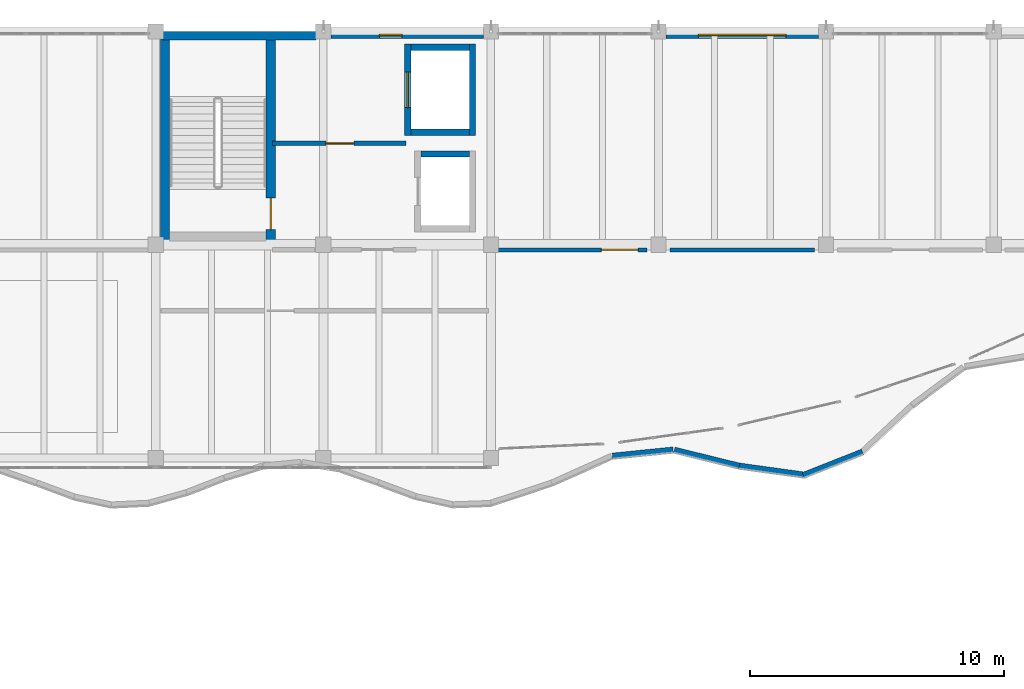
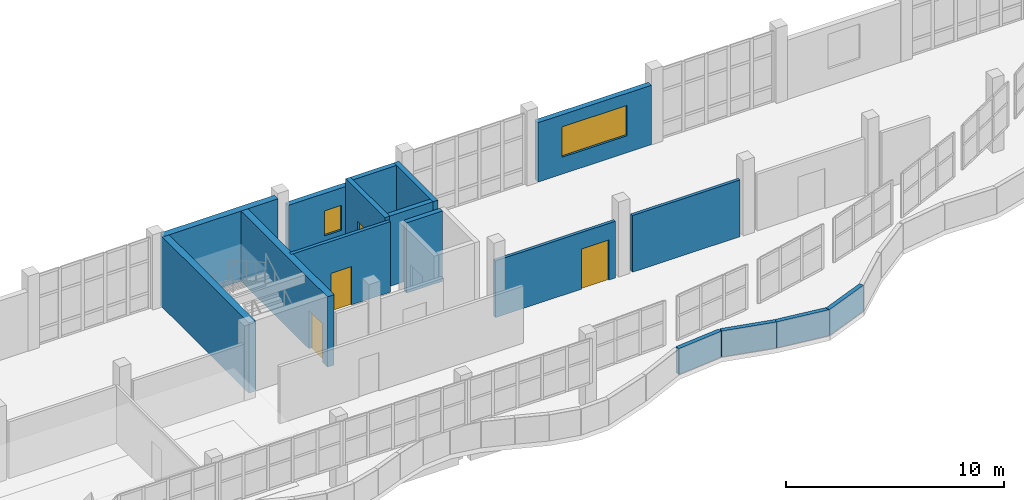
# One storey, part 51 of 74: 17 walls, 4 doors, 2 windows, 6 openings.
"""IFC4 building model written with IfcOpenShell, lengths in metres."""

import ifcopenshell
import ifcopenshell.guid

model = None  # the IFC model being written
_history = None  # IfcOwnerHistory: only IFC2X3 demands one
_inside = {}  # id of a spatial element -> (the spatial element, [elements in it])
_under = {}  # id of a project, library or spatial element -> (it, [spatial elements below it])
_declared = {}  # id of a project -> (the project, [libraries it declares])
_typed = {}  # id of a type object -> (the type object, [elements of that type])
_made_of = {}  # id of a material, layer set ... -> (it, [elements and type objects made of it])


def new_model(schema):
    """Start an empty IFC model of exactly this schema.

    Asked for "IFC4X3", IfcOpenShell would pick the latest addendum, in which some entities
    have other attributes; the version numbers below select the first issue.
    IFC2X3 requires an IfcOwnerHistory on every rooted entity: one is made here for all.
    """
    global model, _history
    if schema == "IFC4X3":
        model = ifcopenshell.file(schema_version=(4, 3, 0, 0))
    else:
        model = ifcopenshell.file(schema=schema)
    _inside.clear()
    _under.clear()
    _declared.clear()
    _typed.clear()
    _made_of.clear()
    _history = None
    if model.schema == "IFC2X3":
        org = make("IfcOrganization", Name="unknown")
        user = make(
            "IfcPersonAndOrganization",
            ThePerson=make("IfcPerson", FamilyName="unknown"),
            TheOrganization=org,
        )
        app = make(
            "IfcApplication",
            ApplicationDeveloper=org,
            Version="unknown",
            ApplicationFullName="unknown",
            ApplicationIdentifier="unknown",
        )
        _history = make(
            "IfcOwnerHistory",
            OwningUser=user,
            OwningApplication=app,
            ChangeAction="ADDED",
            CreationDate=0,
        )
    return model


def make(cls, **values):
    """One entity of the class cls with the attributes given. An attribute that is None is left unset."""
    return model.create_entity(
        cls, **{name: value for name, value in values.items() if value is not None}
    )


def rooted(cls, **values):
    """An entity with a GlobalId (a new one), such as an element, a storey or a relation."""
    return make(cls, GlobalId=ifcopenshell.guid.new(), OwnerHistory=_history, **values)


def si_unit(unit_type, name, prefix=None):
    """IfcSIUnit, for example si_unit("LENGTHUNIT", "METRE", prefix="MILLI")."""
    return make("IfcSIUnit", UnitType=unit_type, Prefix=prefix, Name=name)


def assignment(units):
    """IfcUnitAssignment: the units of a project."""
    return None if units is None else make("IfcUnitAssignment", Units=units)


def point(xyz):
    """IfcCartesianPoint."""
    return None if xyz is None else make("IfcCartesianPoint", Coordinates=xyz)


def direction(xyz):
    """IfcDirection."""
    return None if xyz is None else make("IfcDirection", DirectionRatios=xyz)


def frame(location, z_axis=None, x_axis=None):
    """IfcAxis2Placement3D, a coordinate frame: its origin and axes. An axis left out is left unset."""
    return make(
        "IfcAxis2Placement3D",
        Location=point(location),
        Axis=direction(z_axis),
        RefDirection=direction(x_axis),
    )


def frame_2d(location, x_axis=None):
    """IfcAxis2Placement2D, a coordinate frame in the plane: its origin and x axis."""
    return make(
        "IfcAxis2Placement2D", Location=point(location), RefDirection=direction(x_axis)
    )


def origin():
    """The frame at (0, 0, 0) with its axes left unset."""
    return frame((0.0, 0.0, 0.0))


def place(relative_to, where):
    """IfcLocalPlacement: puts the frame where relative to a parent placement (None: the world)."""
    return make(
        "IfcLocalPlacement", PlacementRelTo=relative_to, RelativePlacement=where
    )


def context(
    kind, dimensions, precision=None, world=None, true_north=None, identifier=None
):
    """IfcGeometricRepresentationContext, for example the 3D "Model" context."""
    return make(
        "IfcGeometricRepresentationContext",
        ContextIdentifier=identifier,
        ContextType=kind,
        CoordinateSpaceDimension=dimensions,
        Precision=precision,
        WorldCoordinateSystem=world,
        TrueNorth=true_north,
    )


def subcontext(parent, identifier, kind, view, scale=None):
    """IfcGeometricRepresentationSubContext, for example "Body" below "Model"."""
    return make(
        "IfcGeometricRepresentationSubContext",
        ContextIdentifier=identifier,
        ContextType=kind,
        ParentContext=parent,
        TargetScale=scale,
        TargetView=view,
    )


def project(units=None, contexts=None):
    """IfcProject with its units and contexts."""
    return rooted(
        "IfcProject",
        Name="project",
        RepresentationContexts=contexts,
        UnitsInContext=assignment(units),
    )


def spatial(cls, under=None, at=None, **own):
    """A site, building, storey or space (cls), placed at a placement, below another one or the project."""
    s = rooted(cls, ObjectPlacement=at, **own)
    if under is not None:
        _under.setdefault(under.id(), (under, []))[1].append(s)
    return s


def profile(cls, at=None, kind="AREA", **sizes):
    """A parametric profile (cls). Its sizes go by their IFC names, for example OverallWidth=200.0."""
    return make(cls, ProfileType=kind, Position=at, **sizes)


def rectangle(**sizes):
    """IfcRectangleProfileDef."""
    return profile("IfcRectangleProfileDef", **sizes)


def extrude(swept, where, along, depth):
    """IfcExtrudedAreaSolid: the profile swept, set in the frame where, extruded along a direction by depth."""
    return make(
        "IfcExtrudedAreaSolid",
        SweptArea=swept,
        Position=where,
        ExtrudedDirection=direction(along),
        Depth=depth,
    )


def shape(context_of_items, identifier, shape_type, items):
    """IfcShapeRepresentation: the items that make up one representation, for example the "Body"."""
    return make(
        "IfcShapeRepresentation",
        ContextOfItems=context_of_items,
        RepresentationIdentifier=identifier,
        RepresentationType=shape_type,
        Items=items,
    )


def material(Name=None, Category=None):
    """IfcMaterial."""
    return make("IfcMaterial", Name=Name, Category=Category)


def layer(
    of_material, thickness, ventilated=None, Name=None, Category=None, Priority=None
):
    """IfcMaterialLayer: one layer of a wall or slab, of a material (None: an air gap)."""
    return make(
        "IfcMaterialLayer",
        Material=of_material,
        LayerThickness=thickness,
        IsVentilated=ventilated,
        Name=Name,
        Category=Category,
        Priority=Priority,
    )


def layer_set(layers, Name=None):
    """IfcMaterialLayerSet."""
    return make("IfcMaterialLayerSet", MaterialLayers=layers, LayerSetName=Name)


def made_of(thing, what):
    """Note that an element or type object is made of a material, layer set ...; save() writes the relation."""
    if what is not None:
        _made_of.setdefault(what.id(), (what, []))[1].append(thing)
    return thing


def type_object(cls, material=None, **own):
    """A type object (cls), such as IfcWallType, which elements share."""
    return made_of(rooted(cls, **own), material)


def element(
    cls,
    number,
    at=None,
    inside=None,
    cuts=None,
    type_object=None,
    material=None,
    context=None,
    identifier="Body",
    shape_type=None,
    held_by="IfcProductDefinitionShape",
    body=None,
    shapes=None,
    **own,
):
    """One element of the class cls, such as IfcWall. Its Tag is "e" and its number.

    at: its placement. inside: the storey or other place that contains it. cuts: it is an
    opening in that element (IfcRelVoidsElement). A single representation is given by context,
    identifier, shape_type and body (its items); several are given by shapes. held_by: the class
    of the entity that holds the representations. save() writes the other relations.
    """
    e = rooted(cls, Tag="e%d" % number, ObjectPlacement=at, **own)
    if body is not None:
        shapes = [shape(context, identifier, shape_type, body)]
    if shapes is not None:
        e.Representation = make(held_by, Representations=shapes)
    if inside is not None:
        _inside.setdefault(inside.id(), (inside, []))[1].append(e)
    if cuts is not None:
        rooted(
            "IfcRelVoidsElement", RelatingBuildingElement=cuts, RelatedOpeningElement=e
        )
    if type_object is not None:
        _typed.setdefault(type_object.id(), (type_object, []))[1].append(e)
    return made_of(e, material)


def fill(opening, filler):
    """IfcRelFillsElement: the door or window that sits in an opening."""
    return rooted(
        "IfcRelFillsElement",
        RelatingOpeningElement=opening,
        RelatedBuildingElement=filler,
    )


def aggregate(whole, parts):
    """IfcRelAggregates: a whole, such as a stair, and the parts it consists of."""
    return rooted("IfcRelAggregates", RelatingObject=whole, RelatedObjects=parts)


def save(model, path):
    """Write the relations noted so far, then the file.

    IfcRelAggregates (storeys below a building ...), IfcRelContainedInSpatialStructure (elements
    in a storey), IfcRelDefinesByType, IfcRelAssociatesMaterial and IfcRelDeclares: one each for
    every whole, place, type object, material and project.
    """
    for whole, parts in _under.values():
        aggregate(whole, parts)
    for where, things in _inside.values():
        rooted(
            "IfcRelContainedInSpatialStructure",
            RelatedElements=things,
            RelatingStructure=where,
        )
    for kind, things in _typed.values():
        rooted("IfcRelDefinesByType", RelatedObjects=things, RelatingType=kind)
    for what, things in _made_of.values():
        rooted("IfcRelAssociatesMaterial", RelatedObjects=things, RelatingMaterial=what)
    for by, libraries in _declared.values():
        rooted("IfcRelDeclares", RelatingContext=by, RelatedDefinitions=libraries)
    model.write(path)


model = new_model("IFC4")

# Units and contexts
model_context = context("Model", 3, precision=1e-05, world=origin(), true_north=direction((0.0, 1.0)))
body_context = subcontext(model_context, "Body", "Model", "MODEL_VIEW")
ifc_project = project(units=[si_unit("LENGTHUNIT", "METRE"), si_unit("AREAUNIT", "SQUARE_METRE"), si_unit("VOLUMEUNIT", "CUBIC_METRE"), si_unit("PLANEANGLEUNIT", "RADIAN"), si_unit("MASSUNIT", "GRAM", prefix="KILO")], contexts=[model_context])

# Site, building, storey
site_placement = place(None, origin())
site = spatial("IfcSite", under=ifc_project, at=site_placement, CompositionType="ELEMENT")
building_placement = place(site_placement, origin())
building = spatial("IfcBuilding", under=site, at=building_placement, Name="Qaldarim Faculty of Natural and Applied Sciences", CompositionType="ELEMENT")
storey_placement = place(building_placement, frame((0.0, 0.0, 14.39990234375)))
storey = spatial("IfcBuildingStorey", under=building, at=storey_placement, Name="L03", CompositionType="ELEMENT", Elevation=14.39990234375)

# Wall
ifc_material_1 = material(Name="Concrete C50/60", Category="concrete")
ifc_layer_1 = layer(ifc_material_1, 0.360107421875)
ifc_layer_set_1 = layer_set([ifc_layer_1], Name="Concrete C50/60")
wall_type_1 = type_object("IfcWallType", Name="CoreShearWall-360", PredefinedType="SHEAR", material=ifc_layer_set_1)
wall_1_placement = place(storey_placement, frame((99.3701171875, 109.340087890625, 0.0), z_axis=(0.0, 0.0, 1.0), x_axis=(0.0, 1.0, 0.0)))
element("IfcWall", 1, at=wall_1_placement, inside=storey, type_object=wall_type_1, Name="Core stair ST-B1 west shear wall L03", PredefinedType="SHEAR", context=body_context, shape_type="SweptSolid", body=[
    extrude(rectangle(XDim=8.08984375, YDim=0.360107421875, at=frame_2d((4.044921875, 0.0))), origin(), (0.0, 0.0, 1.0), 3.940185546875),
])

# Wall, opening, door
wall_2_placement = place(storey_placement, frame((103.530029296875, 109.340087890625, 0.0), z_axis=(0.0, 0.0, 1.0), x_axis=(0.0, 1.0, 0.0)))
wall_2 = element("IfcWall", 2, at=wall_2_placement, inside=storey, type_object=wall_type_1, Name="Core stair ST-B1 east shear wall L03", PredefinedType="SHEAR", context=body_context, shape_type="SweptSolid", body=[
    extrude(rectangle(XDim=8.08984375, YDim=0.360107421875, at=frame_2d((4.044921875, 0.0))), origin(), (0.0, 0.0, 1.0), 3.940185546875),
])
opening_1_placement = place(wall_2_placement, frame((0.449951171875, 0.0, 0.0)))
opening_1 = element("IfcOpeningElement", 3, at=opening_1_placement, cuts=wall_2, Name="Opening ID04", PredefinedType="OPENING", context=body_context, shape_type="SweptSolid", body=[
    extrude(rectangle(XDim=1.25, YDim=2.14990234375, at=frame_2d((0.625, 1.074951171875))), frame((0.0, 0.18994140625, 0.0), z_axis=(0.0, -1.0, 0.0), x_axis=(1.0, 0.0, 0.0)), (0.0, 0.0, 1.0), 0.380126953125),
])
ifc_material_2 = material(Name="Architectural stainless steel 316", Category="steel")
door_type_1 = type_object("IfcDoorType", Name="StairEnclosureFireDoor-1250x2150", OperationType="NOTDEFINED", PredefinedType="DOOR", material=ifc_material_2)
door_1_placement = place(opening_1_placement, origin())
door_1 = element("IfcDoor", 4, at=door_1_placement, inside=storey, type_object=door_type_1, Name="Protected stair ST-B1 fire door D-L03-530", OperationType="SINGLE_SWING_LEFT", OverallHeight=2.14990234375, OverallWidth=1.25, PredefinedType="DOOR", context=body_context, shape_type="SweptSolid", body=[
    extrude(rectangle(XDim=1.25, YDim=2.14990234375, at=frame_2d((0.625, 1.074951171875))), frame((0.0, 0.02490234375, 0.0), z_axis=(0.0, -1.0, 0.0), x_axis=(1.0, 0.0, 0.0)), (0.0, 0.0, 1.0), 0.050048828125),
])
fill(opening_1, door_1)

# Wall, opening, window
ifc_material_3 = material(Name="Precast concrete C40/50", Category="concrete")
ifc_layer_2 = layer(ifc_material_3, 0.280029296875)
ifc_layer_set_2 = layer_set([ifc_layer_2], Name="Precast concrete C40/50")
wall_type_2 = type_object("IfcWallType", Name="ExteriorSpandrelWall-280", PredefinedType="SOLIDWALL", material=ifc_layer_set_2)
wall_3_placement = place(storey_placement, frame((111.905029296875, 117.4599609375, 0.0), z_axis=(0.0, 0.0, 1.0), x_axis=(-1.0, 0.0, 0.0)))
wall_3 = element("IfcWall", 5, at=wall_3_placement, inside=storey, type_object=wall_type_2, Name="Exterior wall EW02 L03 N X17Y14", PredefinedType="SOLIDWALL", context=body_context, shape_type="SweptSolid", body=[
    extrude(rectangle(XDim=6.010009765625, YDim=0.280029296875, at=frame_2d((3.0048828125, 0.0))), origin(), (0.0, 0.0, 1.0), 3.3251953125),
])
opening_2_placement = place(wall_3_placement, frame((3.199951171875, 0.0, 0.949951171875)))
opening_2 = element("IfcOpeningElement", 6, at=opening_2_placement, cuts=wall_3, Name="Opening WN05", PredefinedType="OPENING", context=body_context, shape_type="SweptSolid", body=[
    extrude(rectangle(XDim=0.89990234375, YDim=1.39990234375, at=frame_2d((0.449951171875, 0.699951171875))), frame((0.0, 0.14990234375, 0.0), z_axis=(0.0, -1.0, 0.0), x_axis=(1.0, 0.0, 0.0)), (0.0, 0.0, 1.0), 0.300048828125),
])
ifc_material_4 = material(Name="Insulated low-e double glazing", Category="glass")
window_type_1 = type_object("IfcWindowType", Name="Window-900x1400", PartitioningType="SINGLE_PANEL", PredefinedType="WINDOW", material=ifc_material_4)
window_1_placement = place(opening_2_placement, origin())
window_1 = element("IfcWindow", 7, at=window_1_placement, inside=storey, type_object=window_type_1, Name="Facade window WN14 L03 N X17Y14", OverallHeight=1.39990234375, OverallWidth=0.89990234375, PartitioningType="SINGLE_PANEL", PredefinedType="WINDOW", context=body_context, shape_type="SweptSolid", body=[
    extrude(rectangle(XDim=0.89990234375, YDim=1.39990234375, at=frame_2d((0.449951171875, 0.699951171875))), frame((0.0, 0.030029296875, 0.0), z_axis=(0.0, -1.0, 0.0), x_axis=(1.0, 0.0, 0.0)), (0.0, 0.0, 1.0), 0.06005859375),
])
fill(opening_2, window_1)

wall_4_placement = place(storey_placement, frame((125.10498046875, 117.4599609375, 0.0), z_axis=(0.0, 0.0, 1.0), x_axis=(-1.0, 0.0, 0.0)))
wall_4 = element("IfcWall", 8, at=wall_4_placement, inside=storey, type_object=wall_type_2, Name="Exterior wall EW02 L03 N X19Y14", PredefinedType="SOLIDWALL", context=body_context, shape_type="SweptSolid", body=[
    extrude(rectangle(XDim=6.010009765625, YDim=0.280029296875, at=frame_2d((3.0048828125, 0.0))), origin(), (0.0, 0.0, 1.0), 3.3251953125),
])
opening_3_placement = place(wall_4_placement, frame((1.280029296875, 0.0, 0.949951171875)))
opening_3 = element("IfcOpeningElement", 9, at=opening_3_placement, cuts=wall_4, Name="Opening WN16", PredefinedType="OPENING", context=body_context, shape_type="SweptSolid", body=[
    extrude(rectangle(XDim=3.449951171875, YDim=1.699951171875, at=frame_2d((1.72509765625, 0.85009765625))), frame((0.0, 0.14990234375, 0.0), z_axis=(0.0, -1.0, 0.0), x_axis=(1.0, 0.0, 0.0)), (0.0, 0.0, 1.0), 0.300048828125),
])
window_type_2 = type_object("IfcWindowType", Name="LabWindow-3450x1700", PartitioningType="TRIPLE_PANEL_VERTICAL", PredefinedType="WINDOW", material=ifc_material_4)
window_2_placement = place(opening_3_placement, origin())
window_2 = element("IfcWindow", 10, at=window_2_placement, inside=storey, type_object=window_type_2, Name="Facade window WN16 L03 N X19Y14", OverallHeight=1.699951171875, OverallWidth=3.449951171875, PartitioningType="SINGLE_PANEL", PredefinedType="WINDOW", context=body_context, shape_type="SweptSolid", body=[
    extrude(rectangle(XDim=3.449951171875, YDim=1.699951171875, at=frame_2d((1.72509765625, 0.85009765625))), frame((0.0, 0.030029296875, 0.0), z_axis=(0.0, -1.0, 0.0), x_axis=(1.0, 0.0, 0.0)), (0.0, 0.0, 1.0), 0.06005859375),
])
fill(opening_3, window_2)

# Wall
ifc_layer_3 = layer(ifc_material_1, 0.340087890625)
ifc_layer_set_3 = layer_set([ifc_layer_3], Name="Concrete C50/60")
wall_type_3 = type_object("IfcWallType", Name="ExteriorStairShearWall-340", PredefinedType="SHEAR", material=ifc_layer_set_3)
wall_5_placement = place(storey_placement, frame((105.304931640625, 117.429931640625, 0.0), z_axis=(0.0, 0.0, 1.0), x_axis=(-1.0, 0.0, 0.0)))
element("IfcWall", 11, at=wall_5_placement, inside=storey, type_object=wall_type_3, Name="Exterior wall EW05 L03 N X16Y14", PredefinedType="SHEAR", context=body_context, shape_type="SweptSolid", body=[
    extrude(rectangle(XDim=6.010009765625, YDim=0.340087890625, at=frame_2d((3.0048828125, 0.0))), origin(), (0.0, 0.0, 1.0), 3.940185546875),
])

# Wall, opening, door
ifc_material_5 = material(Name="Concrete C40/50", Category="concrete")
ifc_layer_4 = layer(ifc_material_5, 0.159912109375)
ifc_layer_set_4 = layer_set([ifc_layer_4], Name="Concrete C40/50")
wall_type_4 = type_object("IfcWallType", Name="FireCorridorWall-160", PredefinedType="PARTITIONING", material=ifc_layer_set_4)
wall_6_placement = place(storey_placement, frame((112.0, 109.0, 0.0), z_axis=(0.0, 0.0, 1.0), x_axis=(1.0, 0.0, 0.0)))
wall_6 = element("IfcWall", 12, at=wall_6_placement, inside=storey, type_object=wall_type_4, Name="Interior partition PRT-L03-V4-CORSE-S1", PredefinedType="PARTITIONING", context=body_context, shape_type="SweptSolid", body=[
    extrude(rectangle(XDim=6.35009765625, YDim=0.159912109375, at=frame_2d((3.175048828125, 0.0))), origin(), (0.0, 0.0, 1.0), 3.175048828125),
])
opening_4_placement = place(wall_6_placement, frame((4.550048828125, 0.0, 0.0)))
opening_4 = element("IfcOpeningElement", 13, at=opening_4_placement, cuts=wall_6, Name="Opening ID11", PredefinedType="OPENING", context=body_context, shape_type="SweptSolid", body=[
    extrude(rectangle(XDim=1.449951171875, YDim=2.25, at=frame_2d((0.72509765625, 1.125))), frame((0.0, 0.08984375, 0.0), z_axis=(0.0, -1.0, 0.0), x_axis=(1.0, 0.0, 0.0)), (0.0, 0.0, 1.0), 0.179931640625),
])
door_type_2 = type_object("IfcDoorType", Name="InstrumentSuiteDoor-1450x2250", OperationType="NOTDEFINED", PredefinedType="DOOR", material=ifc_material_2)
door_2_placement = place(opening_4_placement, origin())
door_2 = element("IfcDoor", 14, at=door_2_placement, inside=storey, type_object=door_type_2, Name="Interior door D-L03-233", OperationType="SINGLE_SWING_LEFT", OverallHeight=2.25, OverallWidth=1.449951171875, PredefinedType="DOOR", context=body_context, shape_type="SweptSolid", body=[
    extrude(rectangle(XDim=1.449951171875, YDim=2.25, at=frame_2d((0.72509765625, 1.125))), frame((0.0, 0.02490234375, 0.0), z_axis=(0.0, -1.0, 0.0), x_axis=(1.0, 0.0, 0.0)), (0.0, 0.0, 1.0), 0.050048828125),
])
fill(opening_4, door_2)

# Wall
wall_7_placement = place(storey_placement, frame((119.25, 109.0, 0.0), z_axis=(0.0, 0.0, 1.0), x_axis=(1.0, 0.0, 0.0)))
element("IfcWall", 15, at=wall_7_placement, inside=storey, type_object=wall_type_4, Name="Interior partition PRT-L03-V4-CORSE-S2", PredefinedType="PARTITIONING", context=body_context, shape_type="SweptSolid", body=[
    extrude(rectangle(XDim=5.699951171875, YDim=0.159912109375, at=frame_2d((2.85009765625, 0.0))), origin(), (0.0, 0.0, 1.0), 3.175048828125),
])

# Wall, opening, door
ifc_layer_5 = layer(ifc_material_5, 0.179931640625)
ifc_layer_set_5 = layer_set([ifc_layer_5], Name="Concrete C40/50")
wall_type_5 = type_object("IfcWallType", Name="LabFireCompartmentWall-180", PredefinedType="SOLIDWALL", material=ifc_layer_set_5)
wall_8_placement = place(storey_placement, frame((103.60009765625, 113.18994140625, 0.0), z_axis=(0.0, 0.0, 1.0), x_axis=(1.0, 0.0, 0.0)))
wall_8 = element("IfcWall", 16, at=wall_8_placement, inside=storey, type_object=wall_type_5, Name="Fire-fighting lobby north wall Core B L03", PredefinedType="SOLIDWALL", context=body_context, shape_type="SweptSolid", body=[
    extrude(rectangle(XDim=5.25, YDim=0.179931640625, at=frame_2d((2.625, 0.0))), origin(), (0.0, 0.0, 1.0), 3.940185546875),
])
opening_5_placement = place(wall_8_placement, frame((2.10009765625, 0.0, 0.0)))
opening_5 = element("IfcOpeningElement", 17, at=opening_5_placement, cuts=wall_8, Name="Opening ID03", PredefinedType="OPENING", context=body_context, shape_type="SweptSolid", body=[
    extrude(rectangle(XDim=1.10009765625, YDim=2.14990234375, at=frame_2d((0.550048828125, 1.074951171875))), frame((0.0, 0.099853515625, 0.0), z_axis=(0.0, -1.0, 0.0), x_axis=(1.0, 0.0, 0.0)), (0.0, 0.0, 1.0), 0.199951171875),
])
ifc_material_6 = material(Name="Oak hardwood", Category="wood")
door_type_3 = type_object("IfcDoorType", Name="FireLobbyDoor-1100x2150", OperationType="NOTDEFINED", PredefinedType="DOOR", material=ifc_material_6)
door_3_placement = place(opening_5_placement, frame((1.10009765625, 0.0, 0.0), z_axis=(0.0, 0.0, 1.0), x_axis=(-1.0, 0.0, 0.0)))
door_3 = element("IfcDoor", 18, at=door_3_placement, inside=storey, type_object=door_type_3, Name="Passenger lift lobby door Core B D-L03-645", OperationType="SINGLE_SWING_RIGHT", OverallHeight=2.14990234375, OverallWidth=1.10009765625, PredefinedType="DOOR", context=body_context, shape_type="SweptSolid", body=[
    extrude(rectangle(XDim=1.10009765625, YDim=2.14990234375, at=frame_2d((0.550048828125, 1.074951171875))), frame((0.0, 0.02490234375, 0.0), z_axis=(0.0, -1.0, 0.0), x_axis=(1.0, 0.0, 0.0)), (0.0, 0.0, 1.0), 0.050048828125),
])
fill(opening_5, door_3)

# Wall
ifc_layer_6 = layer(ifc_material_5, 0.25)
ifc_layer_set_6 = layer_set([ifc_layer_6], Name="Concrete C40/50")
wall_type_6 = type_object("IfcWallType", Name="LiftShaftWall-250", PredefinedType="SHEAR", material=ifc_layer_set_6)
wall_9_placement = place(storey_placement, frame((109.449951171875, 112.77490234375, 0.0), z_axis=(0.0, 0.0, 1.0), x_axis=(1.0, 0.0, 0.0)))
element("IfcWall", 19, at=wall_9_placement, inside=storey, type_object=wall_type_6, Name="Lift LF-B1 north shaft wall L03", PredefinedType="SHEAR", context=body_context, shape_type="SweptSolid", body=[
    extrude(rectangle(XDim=1.900146484375, YDim=0.25, at=frame_2d((0.9501953125, 0.0))), origin(), (0.0, 0.0, 1.0), 3.940185546875),
])

# Wall, opening, door
wall_10_placement = place(storey_placement, frame((108.925048828125, 113.5, 0.0), z_axis=(0.0, 0.0, 1.0), x_axis=(0.0, 1.0, 0.0)))
wall_10 = element("IfcWall", 20, at=wall_10_placement, inside=storey, type_object=wall_type_6, Name="Lift LF-B2 front shaft wall L03", PredefinedType="SHEAR", context=body_context, shape_type="SweptSolid", body=[
    extrude(rectangle(XDim=3.60009765625, YDim=0.25, at=frame_2d((1.800048828125, 0.0))), origin(), (0.0, 0.0, 1.0), 3.940185546875),
])
opening_6_placement = place(wall_10_placement, frame((1.10009765625, 0.0, 0.0)))
opening_6 = element("IfcOpeningElement", 21, at=opening_6_placement, cuts=wall_10, Name="Opening LD02", PredefinedType="OPENING", context=body_context, shape_type="SweptSolid", body=[
    extrude(rectangle(XDim=1.39990234375, YDim=2.199951171875, at=frame_2d((0.699951171875, 1.10009765625))), frame((0.0, 0.135009765625, 0.0), z_axis=(0.0, -1.0, 0.0), x_axis=(1.0, 0.0, 0.0)), (0.0, 0.0, 1.0), 0.27001953125),
])
door_type_4 = type_object("IfcDoorType", Name="GoodsLiftSlidingDoor-1400x2200", OperationType="NOTDEFINED", PredefinedType="DOOR", material=ifc_material_2)
door_4_placement = place(opening_6_placement, origin())
door_4 = element("IfcDoor", 22, at=door_4_placement, inside=storey, type_object=door_type_4, Name="Lift landing sliding door LF-B2 D-L03-633", OperationType="SLIDING_TO_LEFT", OverallHeight=2.199951171875, OverallWidth=1.39990234375, PredefinedType="DOOR", context=body_context, shape_type="SweptSolid", body=[
    extrude(rectangle(XDim=1.39990234375, YDim=2.199951171875, at=frame_2d((0.699951171875, 1.10009765625))), frame((0.0, 0.02490234375, 0.0), z_axis=(0.0, -1.0, 0.0), x_axis=(1.0, 0.0, 0.0)), (0.0, 0.0, 1.0), 0.050048828125),
])
fill(opening_6, door_4)

# Walls
wall_11_placement = place(storey_placement, frame((111.47509765625, 113.5, 0.0), z_axis=(0.0, 0.0, 1.0), x_axis=(0.0, 1.0, 0.0)))
element("IfcWall", 23, at=wall_11_placement, inside=storey, type_object=wall_type_6, Name="Lift LF-B2 rear shaft wall L03", PredefinedType="SHEAR", context=body_context, shape_type="SweptSolid", body=[
    extrude(rectangle(XDim=3.60009765625, YDim=0.25, at=frame_2d((1.800048828125, 0.0))), origin(), (0.0, 0.0, 1.0), 3.940185546875),
])
for number, where, z_axis, x_axis, name in (
    (24, (109.050048828125, 113.625, 0.0), (0.0, 0.0, 1.0), (1.0, 0.0, 0.0), "Lift LF-B2 south shaft wall L03"),
    (25, (109.050048828125, 116.97509765625, 0.0), (0.0, 0.0, 1.0), (1.0, 0.0, 0.0), "Lift LF-B2 north shaft wall L03"),
):
    element("IfcWall", number, at=place(storey_placement, frame(where, z_axis=z_axis, x_axis=x_axis)), inside=storey, type_object=wall_type_6, Name=name, PredefinedType="SHEAR", context=body_context, shape_type="SweptSolid", body=[
        extrude(rectangle(XDim=2.300048828125, YDim=0.25, at=frame_2d((1.14990234375, 0.0))), origin(), (0.0, 0.0, 1.0), 3.940185546875),
    ])
ifc_material_7 = material(Name="White architectural precast concrete C40/50", Category="concrete")
ifc_layer_7 = layer(ifc_material_7, 0.219970703125)
ifc_layer_set_7 = layer_set([ifc_layer_7], Name="White architectural precast concrete C40/50")
wall_type_7 = type_object("IfcWallType", Name="WhitePrecastWaveBand-220", PredefinedType="SOLIDWALL", material=ifc_layer_set_7)
wall_12_placement = place(storey_placement, frame((116.985107421875, 100.885009765625, 0.0), z_axis=(0.0, 0.0, 1.0), x_axis=(0.994995843121, 0.099916325854, 0.0)))
element("IfcWall", 26, at=wall_12_placement, inside=storey, type_object=wall_type_7, Name="White precast wave spandrel band L03 chord 56", PredefinedType="SOLIDWALL", context=body_context, shape_type="SweptSolid", body=[
    extrude(rectangle(XDim=2.40185546875, YDim=0.219970703125, at=frame_2d((1.200927734375, 0.0))), origin(), (0.0, 0.0, 1.0), 1.4501953125),
])
wall_13_placement = place(storey_placement, frame((119.425048828125, 101.1201171875, 0.0), z_axis=(0.0, 0.0, 1.0), x_axis=(0.971018515924, -0.239004271371, 0.0)))
element("IfcWall", 27, at=wall_13_placement, inside=storey, type_object=wall_type_7, Name="White precast wave spandrel band L03 chord 57", PredefinedType="SOLIDWALL", context=body_context, shape_type="SweptSolid", body=[
    extrude(rectangle(XDim=2.636474609375, YDim=0.219970703125, at=frame_2d((1.318359375, 0.0))), origin(), (0.0, 0.0, 1.0), 1.4501953125),
])
wall_14_placement = place(storey_placement, frame((121.969970703125, 100.4951171875, 0.0), z_axis=(0.0, 0.0, 1.0), x_axis=(0.99054500618, -0.137188158133, 0.0)))
element("IfcWall", 28, at=wall_14_placement, inside=storey, type_object=wall_type_7, Name="White precast wave spandrel band L03 chord 58", PredefinedType="SOLIDWALL", context=body_context, shape_type="SweptSolid", body=[
    extrude(rectangle(XDim=2.625, YDim=0.219970703125, at=frame_2d((1.3125, 0.0))), origin(), (0.0, 0.0, 1.0), 1.4501953125),
])
wall_15_placement = place(storey_placement, frame((124.5, 100.125, 0.0), z_axis=(0.0, 0.0, 1.0), x_axis=(0.930134198421, 0.367219788312, 0.0)))
element("IfcWall", 29, at=wall_15_placement, inside=storey, type_object=wall_type_7, Name="White precast wave spandrel band L03 chord 59", PredefinedType="SOLIDWALL", context=body_context, shape_type="SweptSolid", body=[
    extrude(rectangle(XDim=2.505126953125, YDim=0.219970703125, at=frame_2d((1.25244140625, 0.0))), origin(), (0.0, 0.0, 1.0), 1.4501953125),
])

save(model, "model.ifc")
